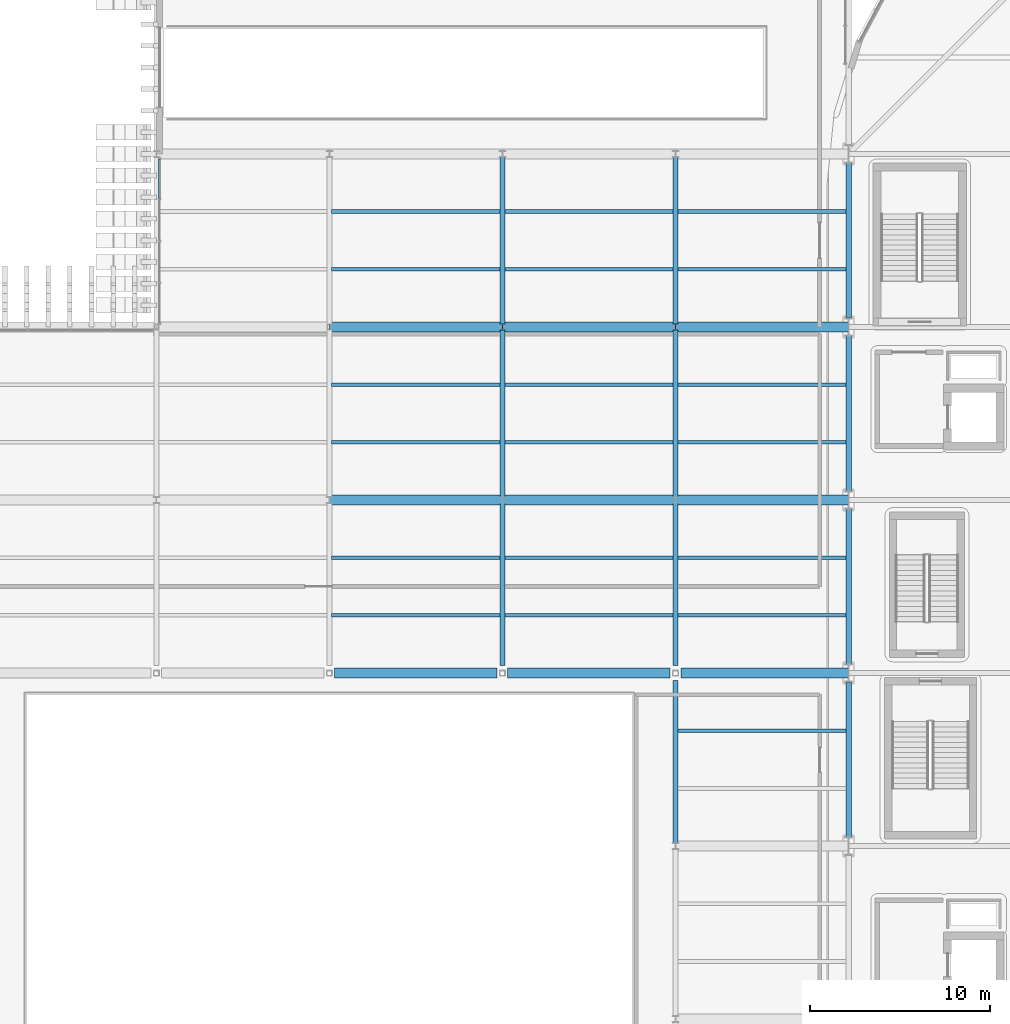
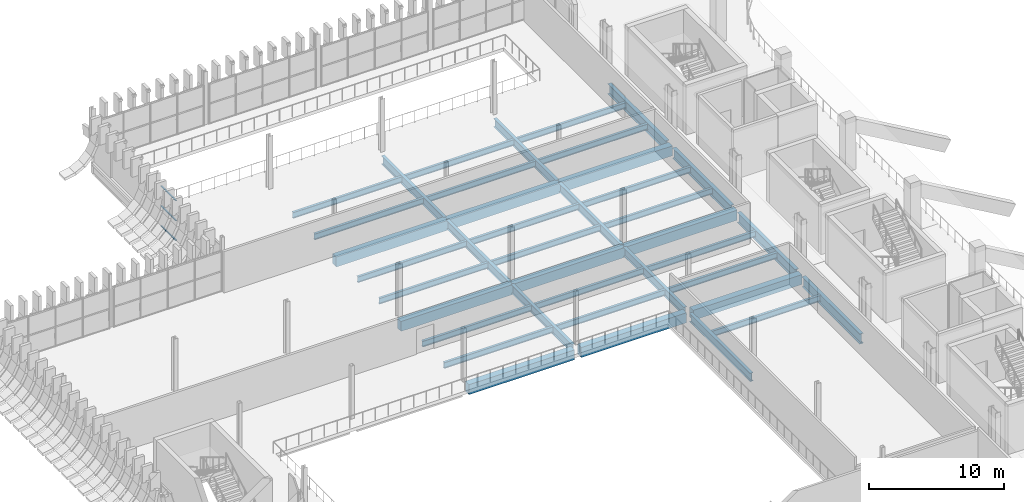
# One storey, part 24 of 100: 39 beams, 3 members, 1 element without a shape of its own.
"""IFC4 building model written with IfcOpenShell, lengths in metres."""

import ifcopenshell
import ifcopenshell.guid

model = None  # the IFC model being written
_history = None  # IfcOwnerHistory: only IFC2X3 demands one
_inside = {}  # id of a spatial element -> (the spatial element, [elements in it])
_under = {}  # id of a project, library or spatial element -> (it, [spatial elements below it])
_declared = {}  # id of a project -> (the project, [libraries it declares])
_typed = {}  # id of a type object -> (the type object, [elements of that type])
_made_of = {}  # id of a material, layer set ... -> (it, [elements and type objects made of it])


def new_model(schema):
    """Start an empty IFC model of exactly this schema.

    Asked for "IFC4X3", IfcOpenShell would pick the latest addendum, in which some entities
    have other attributes; the version numbers below select the first issue.
    IFC2X3 requires an IfcOwnerHistory on every rooted entity: one is made here for all.
    """
    global model, _history
    if schema == "IFC4X3":
        model = ifcopenshell.file(schema_version=(4, 3, 0, 0))
    else:
        model = ifcopenshell.file(schema=schema)
    _inside.clear()
    _under.clear()
    _declared.clear()
    _typed.clear()
    _made_of.clear()
    _history = None
    if model.schema == "IFC2X3":
        org = make("IfcOrganization", Name="unknown")
        user = make(
            "IfcPersonAndOrganization",
            ThePerson=make("IfcPerson", FamilyName="unknown"),
            TheOrganization=org,
        )
        app = make(
            "IfcApplication",
            ApplicationDeveloper=org,
            Version="unknown",
            ApplicationFullName="unknown",
            ApplicationIdentifier="unknown",
        )
        _history = make(
            "IfcOwnerHistory",
            OwningUser=user,
            OwningApplication=app,
            ChangeAction="ADDED",
            CreationDate=0,
        )
    return model


def make(cls, **values):
    """One entity of the class cls with the attributes given. An attribute that is None is left unset."""
    return model.create_entity(
        cls, **{name: value for name, value in values.items() if value is not None}
    )


def rooted(cls, **values):
    """An entity with a GlobalId (a new one), such as an element, a storey or a relation."""
    return make(cls, GlobalId=ifcopenshell.guid.new(), OwnerHistory=_history, **values)


def si_unit(unit_type, name, prefix=None):
    """IfcSIUnit, for example si_unit("LENGTHUNIT", "METRE", prefix="MILLI")."""
    return make("IfcSIUnit", UnitType=unit_type, Prefix=prefix, Name=name)


def assignment(units):
    """IfcUnitAssignment: the units of a project."""
    return None if units is None else make("IfcUnitAssignment", Units=units)


def point(xyz):
    """IfcCartesianPoint."""
    return None if xyz is None else make("IfcCartesianPoint", Coordinates=xyz)


def direction(xyz):
    """IfcDirection."""
    return None if xyz is None else make("IfcDirection", DirectionRatios=xyz)


def frame(location, z_axis=None, x_axis=None):
    """IfcAxis2Placement3D, a coordinate frame: its origin and axes. An axis left out is left unset."""
    return make(
        "IfcAxis2Placement3D",
        Location=point(location),
        Axis=direction(z_axis),
        RefDirection=direction(x_axis),
    )


def frame_2d(location, x_axis=None):
    """IfcAxis2Placement2D, a coordinate frame in the plane: its origin and x axis."""
    return make(
        "IfcAxis2Placement2D", Location=point(location), RefDirection=direction(x_axis)
    )


def origin():
    """The frame at (0, 0, 0) with its axes left unset."""
    return frame((0.0, 0.0, 0.0))


def origin_2d():
    """The frame at (0, 0) in the plane with its x axis left unset."""
    return frame_2d((0.0, 0.0))


def place(relative_to, where):
    """IfcLocalPlacement: puts the frame where relative to a parent placement (None: the world)."""
    return make(
        "IfcLocalPlacement", PlacementRelTo=relative_to, RelativePlacement=where
    )


def context(
    kind, dimensions, precision=None, world=None, true_north=None, identifier=None
):
    """IfcGeometricRepresentationContext, for example the 3D "Model" context."""
    return make(
        "IfcGeometricRepresentationContext",
        ContextIdentifier=identifier,
        ContextType=kind,
        CoordinateSpaceDimension=dimensions,
        Precision=precision,
        WorldCoordinateSystem=world,
        TrueNorth=true_north,
    )


def subcontext(parent, identifier, kind, view, scale=None):
    """IfcGeometricRepresentationSubContext, for example "Body" below "Model"."""
    return make(
        "IfcGeometricRepresentationSubContext",
        ContextIdentifier=identifier,
        ContextType=kind,
        ParentContext=parent,
        TargetScale=scale,
        TargetView=view,
    )


def project(units=None, contexts=None):
    """IfcProject with its units and contexts."""
    return rooted(
        "IfcProject",
        Name="project",
        RepresentationContexts=contexts,
        UnitsInContext=assignment(units),
    )


def spatial(cls, under=None, at=None, **own):
    """A site, building, storey or space (cls), placed at a placement, below another one or the project."""
    s = rooted(cls, ObjectPlacement=at, **own)
    if under is not None:
        _under.setdefault(under.id(), (under, []))[1].append(s)
    return s


def profile(cls, at=None, kind="AREA", **sizes):
    """A parametric profile (cls). Its sizes go by their IFC names, for example OverallWidth=200.0."""
    return make(cls, ProfileType=kind, Position=at, **sizes)


def rectangle(**sizes):
    """IfcRectangleProfileDef."""
    return profile("IfcRectangleProfileDef", **sizes)


def i_section(**sizes):
    """IfcIShapeProfileDef."""
    return profile("IfcIShapeProfileDef", **sizes)


def extrude(swept, where, along, depth):
    """IfcExtrudedAreaSolid: the profile swept, set in the frame where, extruded along a direction by depth."""
    return make(
        "IfcExtrudedAreaSolid",
        SweptArea=swept,
        Position=where,
        ExtrudedDirection=direction(along),
        Depth=depth,
    )


def shape(context_of_items, identifier, shape_type, items):
    """IfcShapeRepresentation: the items that make up one representation, for example the "Body"."""
    return make(
        "IfcShapeRepresentation",
        ContextOfItems=context_of_items,
        RepresentationIdentifier=identifier,
        RepresentationType=shape_type,
        Items=items,
    )


def material(Name=None, Category=None):
    """IfcMaterial."""
    return make("IfcMaterial", Name=Name, Category=Category)


def layer(
    of_material, thickness, ventilated=None, Name=None, Category=None, Priority=None
):
    """IfcMaterialLayer: one layer of a wall or slab, of a material (None: an air gap)."""
    return make(
        "IfcMaterialLayer",
        Material=of_material,
        LayerThickness=thickness,
        IsVentilated=ventilated,
        Name=Name,
        Category=Category,
        Priority=Priority,
    )


def layer_set(layers, Name=None):
    """IfcMaterialLayerSet."""
    return make("IfcMaterialLayerSet", MaterialLayers=layers, LayerSetName=Name)


def material_profile(
    of_material, cross_section, Name=None, Category=None, Priority=None
):
    """IfcMaterialProfile: a cross section and its material."""
    return make(
        "IfcMaterialProfile",
        Name=Name,
        Material=of_material,
        Profile=cross_section,
        Priority=Priority,
        Category=Category,
    )


def profile_set(profiles, Name=None, composite=None):
    """IfcMaterialProfileSet."""
    return make(
        "IfcMaterialProfileSet",
        Name=Name,
        MaterialProfiles=profiles,
        CompositeProfile=composite,
    )


def made_of(thing, what):
    """Note that an element or type object is made of a material, layer set ...; save() writes the relation."""
    if what is not None:
        _made_of.setdefault(what.id(), (what, []))[1].append(thing)
    return thing


def type_object(cls, material=None, **own):
    """A type object (cls), such as IfcWallType, which elements share."""
    return made_of(rooted(cls, **own), material)


def element(
    cls,
    number,
    at=None,
    inside=None,
    cuts=None,
    type_object=None,
    material=None,
    context=None,
    identifier="Body",
    shape_type=None,
    held_by="IfcProductDefinitionShape",
    body=None,
    shapes=None,
    **own,
):
    """One element of the class cls, such as IfcWall. Its Tag is "e" and its number.

    at: its placement. inside: the storey or other place that contains it. cuts: it is an
    opening in that element (IfcRelVoidsElement). A single representation is given by context,
    identifier, shape_type and body (its items); several are given by shapes. held_by: the class
    of the entity that holds the representations. save() writes the other relations.
    """
    e = rooted(cls, Tag="e%d" % number, ObjectPlacement=at, **own)
    if body is not None:
        shapes = [shape(context, identifier, shape_type, body)]
    if shapes is not None:
        e.Representation = make(held_by, Representations=shapes)
    if inside is not None:
        _inside.setdefault(inside.id(), (inside, []))[1].append(e)
    if cuts is not None:
        rooted(
            "IfcRelVoidsElement", RelatingBuildingElement=cuts, RelatedOpeningElement=e
        )
    if type_object is not None:
        _typed.setdefault(type_object.id(), (type_object, []))[1].append(e)
    return made_of(e, material)


def aggregate(whole, parts):
    """IfcRelAggregates: a whole, such as a stair, and the parts it consists of."""
    return rooted("IfcRelAggregates", RelatingObject=whole, RelatedObjects=parts)


def save(model, path):
    """Write the relations noted so far, then the file.

    IfcRelAggregates (storeys below a building ...), IfcRelContainedInSpatialStructure (elements
    in a storey), IfcRelDefinesByType, IfcRelAssociatesMaterial and IfcRelDeclares: one each for
    every whole, place, type object, material and project.
    """
    for whole, parts in _under.values():
        aggregate(whole, parts)
    for where, things in _inside.values():
        rooted(
            "IfcRelContainedInSpatialStructure",
            RelatedElements=things,
            RelatingStructure=where,
        )
    for kind, things in _typed.values():
        rooted("IfcRelDefinesByType", RelatedObjects=things, RelatingType=kind)
    for what, things in _made_of.values():
        rooted("IfcRelAssociatesMaterial", RelatedObjects=things, RelatingMaterial=what)
    for by, libraries in _declared.values():
        rooted("IfcRelDeclares", RelatingContext=by, RelatedDefinitions=libraries)
    model.write(path)


model = new_model("IFC4")

# Units and contexts
model_context = context("Model", 3, precision=1e-05, world=origin(), true_north=direction((0.0, 1.0)))
body_context = subcontext(model_context, "Body", "Model", "MODEL_VIEW")
ifc_project = project(units=[si_unit("LENGTHUNIT", "METRE"), si_unit("AREAUNIT", "SQUARE_METRE"), si_unit("VOLUMEUNIT", "CUBIC_METRE"), si_unit("PLANEANGLEUNIT", "RADIAN"), si_unit("MASSUNIT", "GRAM", prefix="KILO")], contexts=[model_context])

# Site, building, storey
site_placement = place(None, origin())
site = spatial("IfcSite", under=ifc_project, at=site_placement, CompositionType="ELEMENT")
building_placement = place(site_placement, origin())
building = spatial("IfcBuilding", under=site, at=building_placement, Name="Caelomonte Colonnade Arena", CompositionType="ELEMENT")
storey_placement = place(building_placement, origin())
storey = spatial("IfcBuildingStorey", under=building, at=storey_placement, Name="L00", CompositionType="ELEMENT", Elevation=0.0)

# Curtain wall, members
ifc_material_1 = material(Name="Bronze anodised aluminium and low-E glazing", Category="aluminium")
ifc_layer = layer(ifc_material_1, 0.179931640625)
ifc_layer_set = layer_set([ifc_layer], Name="Bronze anodised aluminium and low-E glazing")
curtain_wall_type = type_object("IfcCurtainWallType", Name="ENV-CW-CW-L00-96-37", PredefinedType="USERDEFINED", material=ifc_layer_set)
curtain_wall_placement = place(storey_placement, origin())
curtain_wall = element("IfcCurtainWall", 1, at=curtain_wall_placement, inside=storey, type_object=curtain_wall_type, Name="L00 unitized curtain wall CW-L00-0194-0912", ObjectType="UNITIZED CURTAIN WALL", PredefinedType="USERDEFINED")
ifc_material_2 = material(Name="Bronze anodised aluminium AA6063-T6", Category="aluminium")
ifc_material_profile_1 = material_profile(ifc_material_2, rectangle(XDim=0.06494140625, YDim=0.1201171875, at=origin_2d()), Name="CWT-65X120")
ifc_profile_set_1 = profile_set([ifc_material_profile_1], Name="Bronze anodised aluminium AA6063-T6")
member_type = type_object("IfcMemberType", Name="ENV-CW-TRAN2", PredefinedType="USERDEFINED", material=ifc_profile_set_1)
member_1_placement = place(storey_placement, frame((19.3798828125, 95.730712890625, 0.032470703125), z_axis=(0.0, -1.0, 0.0), x_axis=(0.0, 0.0, 1.0)))
member_1 = element("IfcMember", 2, at=member_1_placement, type_object=member_type, Name="CW-L00-96-37 transom 1.1", ObjectType="TRANSOM", PredefinedType="USERDEFINED", context=body_context, shape_type="SweptSolid", body=[
    extrude(rectangle(XDim=0.06494140625, YDim=0.1201171875, at=origin_2d()), origin(), (0.0, 0.0, 1.0), 2.21484375),
])
member_2_placement = place(storey_placement, frame((19.3798828125, 95.730712890625, 1.832275390625), z_axis=(0.0, -1.0, 0.0), x_axis=(0.0, 0.0, 1.0)))
member_2 = element("IfcMember", 3, at=member_2_placement, type_object=member_type, Name="CW-L00-96-37 transom 1.2", ObjectType="TRANSOM", PredefinedType="USERDEFINED", context=body_context, shape_type="SweptSolid", body=[
    extrude(rectangle(XDim=0.06494140625, YDim=0.1201171875, at=origin_2d()), origin(), (0.0, 0.0, 1.0), 2.21484375),
])
member_3_placement = place(storey_placement, frame((19.3798828125, 95.730712890625, 3.6318359375), z_axis=(0.0, -1.0, 0.0), x_axis=(0.0, 0.0, 1.0)))
member_3 = element("IfcMember", 4, at=member_3_placement, type_object=member_type, Name="CW-L00-96-37 transom 1.3", ObjectType="TRANSOM", PredefinedType="USERDEFINED", context=body_context, shape_type="SweptSolid", body=[
    extrude(rectangle(XDim=0.06494140625, YDim=0.1201171875, at=origin_2d()), origin(), (0.0, 0.0, 1.0), 2.21484375),
])
aggregate(curtain_wall, [member_1, member_2, member_3])

# Beams
ifc_material_3 = material(Name="Wide-flange steel ASTM A992 Grade 50", Category="steel")
ifc_material_profile_2 = material_profile(ifc_material_3, i_section(OverallWidth=0.307861328125, OverallDepth=0.927001953125, WebThickness=0.019287109375, FlangeThickness=0.031982421875, FilletRadius=0.020263671875, at=origin_2d()), Name="W36X194")
ifc_profile_set_2 = profile_set([ifc_material_profile_2], Name="Wide-flange steel ASTM A992 Grade 50")
beam_type_1 = type_object("IfcBeamType", Name="STR-BM-EAVES2", PredefinedType="SPANDREL", material=ifc_profile_set_2)
beam_1_placement = place(storey_placement, frame((57.60009765625, 58.11279296875, -0.763427734375), z_axis=(0.0, 1.0, 0.0), x_axis=(-1.0, 0.0, 0.0)))
element("IfcBeam", 5, at=beam_1_placement, inside=storey, type_object=beam_type_1, Name="L00 girder BMY-L00-0576-0576", PredefinedType="SPANDREL", context=body_context, shape_type="SweptSolid", body=[
    extrude(i_section(OverallWidth=0.307861328125, OverallDepth=0.927001953125, WebThickness=0.019287109375, FlangeThickness=0.031982421875, FilletRadius=0.020263671875, at=origin_2d()), origin(), (0.0, 0.0, 1.0), 8.574462890625),
])
beam_2_placement = place(storey_placement, frame((57.60009765625, 67.712646484375, -0.763427734375), z_axis=(0.0, 1.0, 0.0), x_axis=(-1.0, 0.0, 0.0)))
element("IfcBeam", 6, at=beam_2_placement, inside=storey, type_object=beam_type_1, Name="L00 girder BMY-L00-0576-0672", PredefinedType="SPANDREL", context=body_context, shape_type="SweptSolid", body=[
    extrude(i_section(OverallWidth=0.307861328125, OverallDepth=0.927001953125, WebThickness=0.019287109375, FlangeThickness=0.031982421875, FilletRadius=0.020263671875, at=origin_2d()), origin(), (0.0, 0.0, 1.0), 8.57470703125),
])
beam_3_placement = place(storey_placement, frame((57.60009765625, 77.312744140625, -0.763427734375), z_axis=(0.0, 1.0, 0.0), x_axis=(-1.0, 0.0, 0.0)))
element("IfcBeam", 7, at=beam_3_placement, inside=storey, type_object=beam_type_1, Name="L00 girder BMY-L00-0576-0768", PredefinedType="SPANDREL", context=body_context, shape_type="SweptSolid", body=[
    extrude(i_section(OverallWidth=0.307861328125, OverallDepth=0.927001953125, WebThickness=0.019287109375, FlangeThickness=0.031982421875, FilletRadius=0.020263671875, at=origin_2d()), origin(), (0.0, 0.0, 1.0), 8.574462890625),
])
beam_4_placement = place(storey_placement, frame((57.60009765625, 86.91259765625, -0.763427734375), z_axis=(0.0, 1.0, 0.0), x_axis=(-1.0, 0.0, 0.0)))
element("IfcBeam", 8, at=beam_4_placement, inside=storey, type_object=beam_type_1, Name="L00 girder BMY-L00-0576-0864", PredefinedType="SPANDREL", context=body_context, shape_type="SweptSolid", body=[
    extrude(i_section(OverallWidth=0.307861328125, OverallDepth=0.927001953125, WebThickness=0.019287109375, FlangeThickness=0.031982421875, FilletRadius=0.020263671875, at=origin_2d()), origin(), (0.0, 0.0, 1.0), 8.57470703125),
])
ifc_material_profile_3 = material_profile(ifc_material_3, i_section(OverallWidth=0.2666015625, OverallDepth=0.761962890625, WebThickness=0.014404296875, FlangeThickness=0.021484375, FilletRadius=0.0166015625, at=origin_2d()), Name="W30X116")
ifc_profile_set_3 = profile_set([ifc_material_profile_3], Name="Wide-flange steel ASTM A992 Grade 50")
beam_type_2 = type_object("IfcBeamType", Name="STR-BM-GIRD30", PredefinedType="BEAM", material=ifc_profile_set_3)
beam_5_placement = place(storey_placement, frame((38.39990234375, 67.616943359375, -0.680908203125), z_axis=(0.0, 1.0, 0.0), x_axis=(-1.0, 0.0, 0.0)))
element("IfcBeam", 9, at=beam_5_placement, inside=storey, type_object=beam_type_2, Name="L00 girder BMY-L00-0384-0672", PredefinedType="BEAM", context=body_context, shape_type="SweptSolid", body=[
    extrude(i_section(OverallWidth=0.2666015625, OverallDepth=0.761962890625, WebThickness=0.014404296875, FlangeThickness=0.021484375, FilletRadius=0.0166015625, at=origin_2d()), origin(), (0.0, 0.0, 1.0), 9.0048828125),
])
beam_6_placement = place(storey_placement, frame((38.39990234375, 76.978271484375, -0.680908203125), z_axis=(0.0, 1.0, 0.0), x_axis=(-1.0, 0.0, 0.0)))
element("IfcBeam", 10, at=beam_6_placement, inside=storey, type_object=beam_type_2, Name="L00 girder BMY-L00-0384-0768", PredefinedType="BEAM", context=body_context, shape_type="SweptSolid", body=[
    extrude(i_section(OverallWidth=0.2666015625, OverallDepth=0.761962890625, WebThickness=0.014404296875, FlangeThickness=0.021484375, FilletRadius=0.0166015625, at=origin_2d()), origin(), (0.0, 0.0, 1.0), 9.243408203125),
])
beam_7_placement = place(storey_placement, frame((38.39990234375, 86.578125, -0.680908203125), z_axis=(0.0, 1.0, 0.0), x_axis=(-1.0, 0.0, 0.0)))
element("IfcBeam", 11, at=beam_7_placement, inside=storey, type_object=beam_type_2, Name="L00 girder BMY-L00-0384-0864", PredefinedType="BEAM", context=body_context, shape_type="SweptSolid", body=[
    extrude(i_section(OverallWidth=0.2666015625, OverallDepth=0.761962890625, WebThickness=0.014404296875, FlangeThickness=0.021484375, FilletRadius=0.0166015625, at=origin_2d()), origin(), (0.0, 0.0, 1.0), 9.24365234375),
])
beam_8_placement = place(storey_placement, frame((48.0, 57.7783203125, -0.680908203125), z_axis=(0.0, 1.0, 0.0), x_axis=(-1.0, 0.0, 0.0)))
element("IfcBeam", 12, at=beam_8_placement, inside=storey, type_object=beam_type_2, Name="L00 girder BMY-L00-0480-0576", PredefinedType="BEAM", context=body_context, shape_type="SweptSolid", body=[
    extrude(i_section(OverallWidth=0.2666015625, OverallDepth=0.761962890625, WebThickness=0.014404296875, FlangeThickness=0.021484375, FilletRadius=0.0166015625, at=origin_2d()), origin(), (0.0, 0.0, 1.0), 9.004638671875),
])
beam_9_placement = place(storey_placement, frame((48.0, 67.616943359375, -0.680908203125), z_axis=(0.0, 1.0, 0.0), x_axis=(-1.0, 0.0, 0.0)))
element("IfcBeam", 13, at=beam_9_placement, inside=storey, type_object=beam_type_2, Name="L00 girder BMY-L00-0480-0672", PredefinedType="BEAM", context=body_context, shape_type="SweptSolid", body=[
    extrude(i_section(OverallWidth=0.2666015625, OverallDepth=0.761962890625, WebThickness=0.014404296875, FlangeThickness=0.021484375, FilletRadius=0.0166015625, at=origin_2d()), origin(), (0.0, 0.0, 1.0), 9.0048828125),
])
beam_10_placement = place(storey_placement, frame((48.0, 76.978271484375, -0.680908203125), z_axis=(0.0, 1.0, 0.0), x_axis=(-1.0, 0.0, 0.0)))
element("IfcBeam", 14, at=beam_10_placement, inside=storey, type_object=beam_type_2, Name="L00 girder BMY-L00-0480-0768", PredefinedType="BEAM", context=body_context, shape_type="SweptSolid", body=[
    extrude(i_section(OverallWidth=0.2666015625, OverallDepth=0.761962890625, WebThickness=0.014404296875, FlangeThickness=0.021484375, FilletRadius=0.0166015625, at=origin_2d()), origin(), (0.0, 0.0, 1.0), 9.243408203125),
])
beam_11_placement = place(storey_placement, frame((48.0, 86.578125, -0.680908203125), z_axis=(0.0, 1.0, 0.0), x_axis=(-1.0, 0.0, 0.0)))
element("IfcBeam", 15, at=beam_11_placement, inside=storey, type_object=beam_type_2, Name="L00 girder BMY-L00-0480-0864", PredefinedType="BEAM", context=body_context, shape_type="SweptSolid", body=[
    extrude(i_section(OverallWidth=0.2666015625, OverallDepth=0.761962890625, WebThickness=0.014404296875, FlangeThickness=0.021484375, FilletRadius=0.0166015625, at=origin_2d()), origin(), (0.0, 0.0, 1.0), 9.24365234375),
])
ifc_material_profile_4 = material_profile(ifc_material_3, i_section(OverallWidth=0.209228515625, OverallDepth=0.533447265625, WebThickness=0.01025390625, FlangeThickness=0.015625, FilletRadius=0.0126953125, at=origin_2d()), Name="W21X62")
ifc_profile_set_4 = profile_set([ifc_material_profile_4], Name="Wide-flange steel ASTM A992 Grade 50")
beam_type_3 = type_object("IfcBeamType", Name="STR-BM-JOIST21", PredefinedType="JOIST", material=ifc_profile_set_4)
for number, where, z_axis, x_axis, name in (
    (16, (28.928466796875, 70.39990234375, -0.566650390625), (1.0, 0.0, 0.0), (0.0, 1.0, 0.0), "L00 secondary joist 1"),
    (17, (28.928466796875, 73.60009765625, -0.566650390625), (1.0, 0.0, 0.0), (0.0, 1.0, 0.0), "L00 secondary joist 2"),
    (18, (28.928466796875, 80.0, -0.566650390625), (1.0, 0.0, 0.0), (0.0, 1.0, 0.0), "L00 secondary joist 1"),
    (19, (28.928466796875, 83.199951171875, -0.566650390625), (1.0, 0.0, 0.0), (0.0, 1.0, 0.0), "L00 secondary joist 2"),
    (20, (28.928466796875, 89.60009765625, -0.566650390625), (1.0, 0.0, 0.0), (0.0, 1.0, 0.0), "L00 secondary joist 1"),
    (21, (28.928466796875, 92.800048828125, -0.566650390625), (1.0, 0.0, 0.0), (0.0, 1.0, 0.0), "L00 secondary joist 2"),
    (22, (38.5283203125, 70.39990234375, -0.566650390625), (1.0, 0.0, 0.0), (0.0, 1.0, 0.0), "L00 secondary joist 1"),
    (23, (38.5283203125, 73.60009765625, -0.566650390625), (1.0, 0.0, 0.0), (0.0, 1.0, 0.0), "L00 secondary joist 2"),
    (24, (38.5283203125, 80.0, -0.566650390625), (1.0, 0.0, 0.0), (0.0, 1.0, 0.0), "L00 secondary joist 1"),
    (25, (38.5283203125, 83.199951171875, -0.566650390625), (1.0, 0.0, 0.0), (0.0, 1.0, 0.0), "L00 secondary joist 2"),
    (26, (38.5283203125, 89.60009765625, -0.566650390625), (1.0, 0.0, 0.0), (0.0, 1.0, 0.0), "L00 secondary joist 1"),
    (27, (38.5283203125, 92.800048828125, -0.566650390625), (1.0, 0.0, 0.0), (0.0, 1.0, 0.0), "L00 secondary joist 2"),
):
    element("IfcBeam", number, at=place(storey_placement, frame(where, z_axis=z_axis, x_axis=x_axis)), inside=storey, type_object=beam_type_3, Name=name, PredefinedType="JOIST", context=body_context, shape_type="SweptSolid", body=[
        extrude(i_section(OverallWidth=0.209228515625, OverallDepth=0.533447265625, WebThickness=0.01025390625, FlangeThickness=0.015625, FilletRadius=0.0126953125, at=origin_2d()), origin(), (0.0, 0.0, 1.0), 9.34326171875),
    ])
for number, where, z_axis, x_axis, name in (
    (28, (48.12841796875, 64.0, -0.566650390625), (1.0, 0.0, 0.0), (0.0, 1.0, 0.0), "L00 secondary joist 2"),
    (29, (48.12841796875, 70.39990234375, -0.566650390625), (1.0, 0.0, 0.0), (0.0, 1.0, 0.0), "L00 secondary joist 1"),
    (30, (48.12841796875, 73.60009765625, -0.566650390625), (1.0, 0.0, 0.0), (0.0, 1.0, 0.0), "L00 secondary joist 2"),
    (31, (48.12841796875, 80.0, -0.566650390625), (1.0, 0.0, 0.0), (0.0, 1.0, 0.0), "L00 secondary joist 1"),
    (32, (48.12841796875, 83.199951171875, -0.566650390625), (1.0, 0.0, 0.0), (0.0, 1.0, 0.0), "L00 secondary joist 2"),
    (33, (48.12841796875, 89.60009765625, -0.566650390625), (1.0, 0.0, 0.0), (0.0, 1.0, 0.0), "L00 secondary joist 1"),
    (34, (48.12841796875, 92.800048828125, -0.566650390625), (1.0, 0.0, 0.0), (0.0, 1.0, 0.0), "L00 secondary joist 2"),
):
    element("IfcBeam", number, at=place(storey_placement, frame(where, z_axis=z_axis, x_axis=x_axis)), inside=storey, type_object=beam_type_3, Name=name, PredefinedType="JOIST", context=body_context, shape_type="SweptSolid", body=[
        extrude(i_section(OverallWidth=0.209228515625, OverallDepth=0.533447265625, WebThickness=0.01025390625, FlangeThickness=0.015625, FilletRadius=0.0126953125, at=origin_2d()), origin(), (0.0, 0.0, 1.0), 9.32275390625),
    ])
ifc_material_4 = material(Name="Concrete C40/50", Category="concrete")
ifc_material_profile_5 = material_profile(ifc_material_4, rectangle(XDim=0.550048828125, YDim=0.89990234375, at=origin_2d()), Name="RC550X900")
ifc_profile_set_5 = profile_set([ifc_material_profile_5], Name="Concrete C40/50")
beam_type_4 = type_object("IfcBeamType", Name="STR-BM-RC55", PredefinedType="BEAM", material=ifc_profile_set_5)
beam_12_placement = place(storey_placement, frame((29.092041015625, 67.199951171875, -0.75), z_axis=(1.0, 0.0, 0.0), x_axis=(0.0, 1.0, 0.0)))
element("IfcBeam", 35, at=beam_12_placement, inside=storey, type_object=beam_type_4, Name="L00 girder BMX-L00-0288-0672", PredefinedType="BEAM", context=body_context, shape_type="SweptSolid", body=[
    extrude(rectangle(XDim=0.550048828125, YDim=0.89990234375, at=origin_2d()), origin(), (0.0, 0.0, 1.0), 9.015869140625),
])
beam_13_placement = place(storey_placement, frame((38.69189453125, 67.199951171875, -0.75), z_axis=(1.0, 0.0, 0.0), x_axis=(0.0, 1.0, 0.0)))
element("IfcBeam", 36, at=beam_13_placement, inside=storey, type_object=beam_type_4, Name="L00 girder BMX-L00-0384-0672", PredefinedType="BEAM", context=body_context, shape_type="SweptSolid", body=[
    extrude(rectangle(XDim=0.550048828125, YDim=0.89990234375, at=origin_2d()), origin(), (0.0, 0.0, 1.0), 9.01611328125),
])
beam_14_placement = place(storey_placement, frame((48.2919921875, 67.199951171875, -0.75), z_axis=(1.0, 0.0, 0.0), x_axis=(0.0, 1.0, 0.0)))
element("IfcBeam", 37, at=beam_14_placement, inside=storey, type_object=beam_type_4, Name="L00 girder BMX-L00-0480-0672", PredefinedType="BEAM", context=body_context, shape_type="SweptSolid", body=[
    extrude(rectangle(XDim=0.550048828125, YDim=0.89990234375, at=origin_2d()), origin(), (0.0, 0.0, 1.0), 9.29248046875),
])
beam_15_placement = place(storey_placement, frame((28.80810546875, 76.800048828125, -0.75), z_axis=(1.0, 0.0, 0.0), x_axis=(0.0, 1.0, 0.0)))
element("IfcBeam", 38, at=beam_15_placement, inside=storey, type_object=beam_type_4, Name="L00 girder BMX-L00-0288-0768", PredefinedType="BEAM", context=body_context, shape_type="SweptSolid", body=[
    extrude(rectangle(XDim=0.550048828125, YDim=0.89990234375, at=origin_2d()), origin(), (0.0, 0.0, 1.0), 9.583740234375),
])
beam_16_placement = place(storey_placement, frame((38.408203125, 76.800048828125, -0.75), z_axis=(1.0, 0.0, 0.0), x_axis=(0.0, 1.0, 0.0)))
element("IfcBeam", 39, at=beam_16_placement, inside=storey, type_object=beam_type_4, Name="L00 girder BMX-L00-0384-0768", PredefinedType="BEAM", context=body_context, shape_type="SweptSolid", body=[
    extrude(rectangle(XDim=0.550048828125, YDim=0.89990234375, at=origin_2d()), origin(), (0.0, 0.0, 1.0), 9.58349609375),
])
beam_17_placement = place(storey_placement, frame((48.00830078125, 76.800048828125, -0.75), z_axis=(1.0, 0.0, 0.0), x_axis=(0.0, 1.0, 0.0)))
element("IfcBeam", 40, at=beam_17_placement, inside=storey, type_object=beam_type_4, Name="L00 girder BMX-L00-0480-0768", PredefinedType="BEAM", context=body_context, shape_type="SweptSolid", body=[
    extrude(rectangle(XDim=0.550048828125, YDim=0.89990234375, at=origin_2d()), origin(), (0.0, 0.0, 1.0), 9.576171875),
])
beam_18_placement = place(storey_placement, frame((28.80810546875, 86.39990234375, -0.75), z_axis=(1.0, 0.0, 0.0), x_axis=(0.0, 1.0, 0.0)))
element("IfcBeam", 41, at=beam_18_placement, inside=storey, type_object=beam_type_4, Name="L00 girder BMX-L00-0288-0864", PredefinedType="BEAM", context=body_context, shape_type="SweptSolid", body=[
    extrude(rectangle(XDim=0.550048828125, YDim=0.89990234375, at=origin_2d()), origin(), (0.0, 0.0, 1.0), 9.583740234375),
])
beam_19_placement = place(storey_placement, frame((38.408203125, 86.39990234375, -0.75), z_axis=(1.0, 0.0, 0.0), x_axis=(0.0, 1.0, 0.0)))
element("IfcBeam", 42, at=beam_19_placement, inside=storey, type_object=beam_type_4, Name="L00 girder BMX-L00-0384-0864", PredefinedType="BEAM", context=body_context, shape_type="SweptSolid", body=[
    extrude(rectangle(XDim=0.550048828125, YDim=0.89990234375, at=origin_2d()), origin(), (0.0, 0.0, 1.0), 9.58349609375),
])
beam_20_placement = place(storey_placement, frame((48.00830078125, 86.39990234375, -0.75), z_axis=(1.0, 0.0, 0.0), x_axis=(0.0, 1.0, 0.0)))
element("IfcBeam", 43, at=beam_20_placement, inside=storey, type_object=beam_type_4, Name="L00 girder BMX-L00-0480-0864", PredefinedType="BEAM", context=body_context, shape_type="SweptSolid", body=[
    extrude(rectangle(XDim=0.550048828125, YDim=0.89990234375, at=origin_2d()), origin(), (0.0, 0.0, 1.0), 9.576171875),
])

save(model, "model.ifc")
